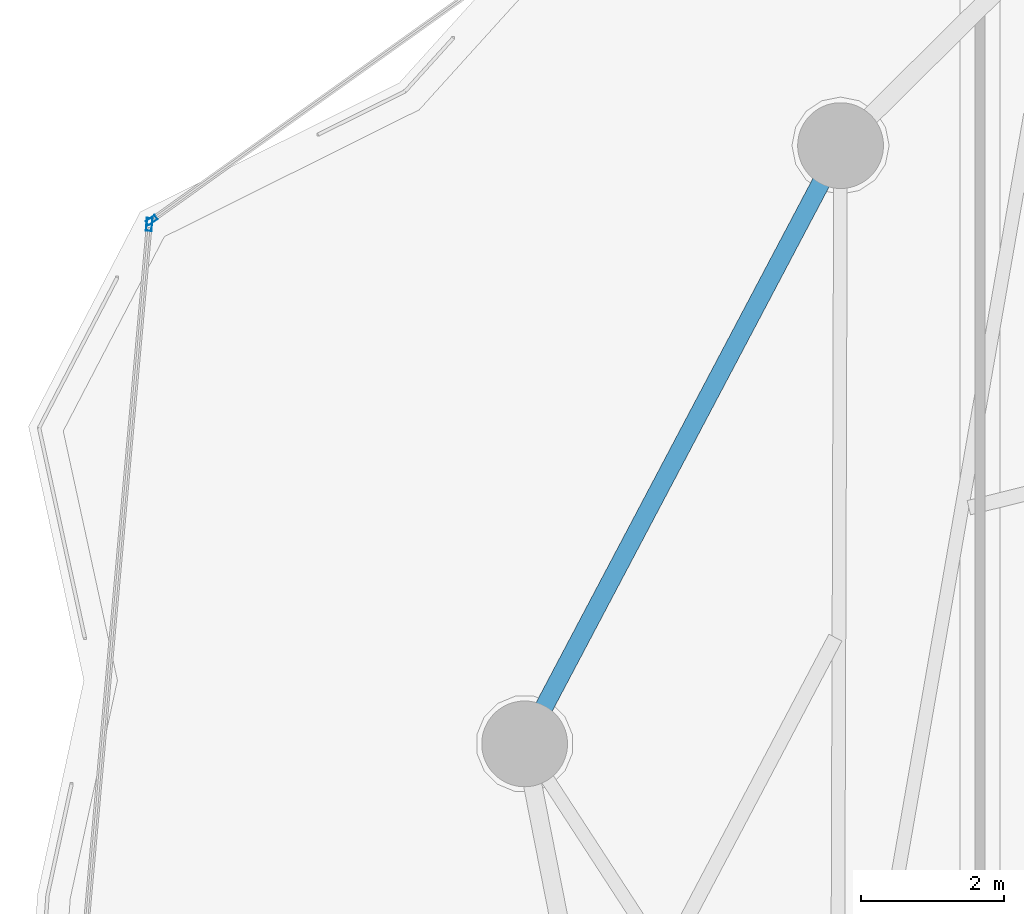
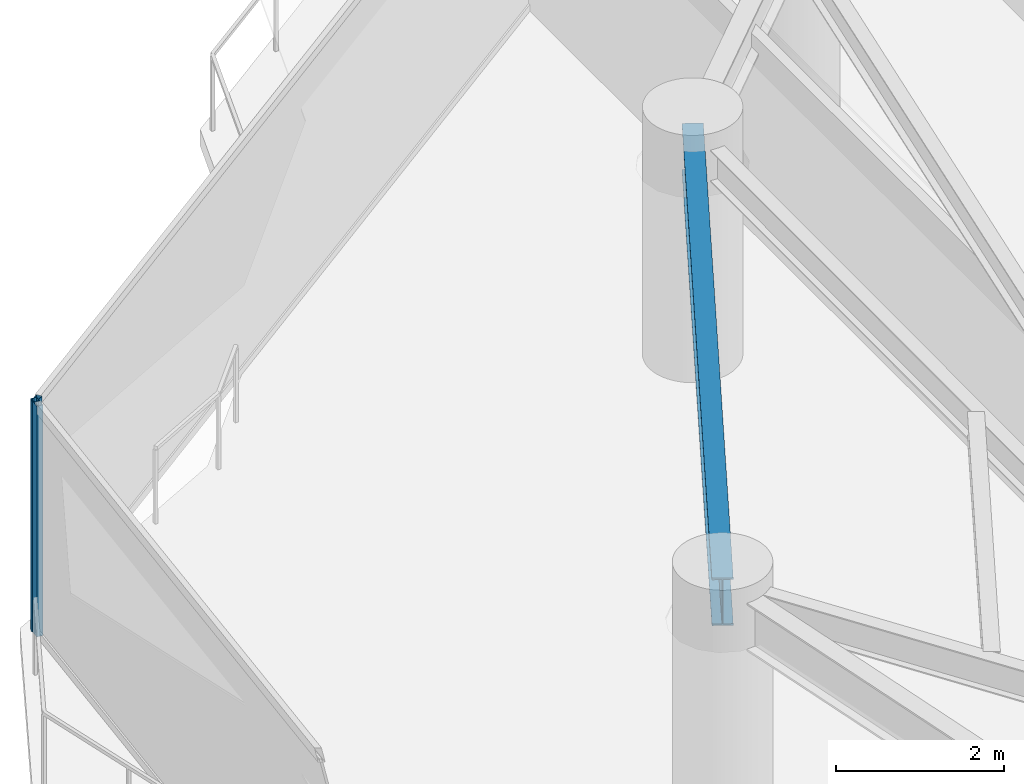
# One storey, part 17 of 33: 2 members, 1 beam, 2 elements without a shape of their own.
"""IFC4 building model written with IfcOpenShell, lengths in metres."""

from ifc_helpers import new_model, si_unit, direction, frame, origin, origin_2d, place, context, subcontext, project, spatial, hollow_rectangle, i_section, extrude, material, layer, layer_set, material_profile, profile_set, type_object, element, aggregate, save


model = new_model("IFC4")

# Units and contexts
model_context = context("Model", 3, precision=1e-05, world=origin(), true_north=direction((0.0, 1.0)))
body_context = subcontext(model_context, "Body", "Model", "MODEL_VIEW")
ifc_project = project(units=[si_unit("LENGTHUNIT", "METRE"), si_unit("AREAUNIT", "SQUARE_METRE"), si_unit("VOLUMEUNIT", "CUBIC_METRE"), si_unit("PLANEANGLEUNIT", "RADIAN"), si_unit("MASSUNIT", "GRAM", prefix="KILO")], contexts=[model_context])

# Site, building, storey
site_placement = place(None, origin())
site = spatial("IfcSite", under=ifc_project, at=site_placement, CompositionType="ELEMENT")
building_placement = place(site_placement, origin())
building = spatial("IfcBuilding", under=site, at=building_placement, Name="Kazevale Care Tower and Concert Hall", CompositionType="ELEMENT")
storey_placement = place(building_placement, frame((0.0, 0.0, 149.39990234375)))
storey = spatial("IfcBuildingStorey", under=building, at=storey_placement, Name="L39", CompositionType="ELEMENT", Elevation=149.39990234375)

# Curtain wall, member
ifc_material_1 = material(Name="Aluminium 6063-T6 and Low-E Glass", Category="aluminium")
ifc_layer_1 = layer(ifc_material_1, 0.179931640625)
ifc_layer_set_1 = layer_set([ifc_layer_1], Name="Aluminium 6063-T6 and Low-E Glass")
curtain_wall_type_1 = type_object("IfcCurtainWallType", Name="Convex Recessed Sunroom Curtain Wall CW-3", PredefinedType="NOTDEFINED", material=ifc_layer_set_1)
curtain_wall_1_placement = place(storey_placement, origin())
curtain_wall_1 = element("IfcCurtainWall", 1, at=curtain_wall_1_placement, inside=storey, type_object=curtain_wall_type_1, Name="cw:L39:f14", PredefinedType="NOTDEFINED")
ifc_material_2 = material(Name="Aluminium 6063-T6", Category="aluminium")
ifc_material_profile_1 = material_profile(ifc_material_2, hollow_rectangle(XDim=0.074951171875, YDim=0.14990234375, WallThickness=0.00390625, at=origin_2d()), Name="ALU75x150x4")
ifc_profile_set_1 = profile_set([ifc_material_profile_1], Name="Aluminium 6063-T6")
member_type_1 = type_object("IfcMemberType", Name="CW-3 Mullion ALU75x150x4", PredefinedType="MULLION", material=ifc_profile_set_1)
member_1_placement = place(storey_placement, frame((12.41259765625, 50.44775390625, 0.0), z_axis=(0.0, 0.0, 1.0), x_axis=(-0.58132396176, 0.813672201494, 0.0)))
member_1 = element("IfcMember", 2, at=member_1_placement, type_object=member_type_1, Name="CW-3 mullion 1", PredefinedType="MULLION", context=body_context, shape_type="SweptSolid", body=[
    extrude(hollow_rectangle(XDim=0.074951171875, YDim=0.14990234375, WallThickness=0.00390625, at=origin_2d()), origin(), (0.0, 0.0, 1.0), 3.360107421875),
])
aggregate(curtain_wall_1, [member_1])

ifc_layer_2 = layer(ifc_material_1, 0.179931640625)
ifc_layer_set_2 = layer_set([ifc_layer_2], Name="Aluminium 6063-T6 and Low-E Glass")
curtain_wall_type_2 = type_object("IfcCurtainWallType", Name="Waist & Upper Residential Curtain Wall CW-4", PredefinedType="NOTDEFINED", material=ifc_layer_set_2)
curtain_wall_2_placement = place(storey_placement, origin())
curtain_wall_2 = element("IfcCurtainWall", 3, at=curtain_wall_2_placement, inside=storey, type_object=curtain_wall_type_2, Name="cw:L39:f13", PredefinedType="NOTDEFINED")
ifc_material_profile_2 = material_profile(ifc_material_2, hollow_rectangle(XDim=0.080078125, YDim=0.179931640625, WallThickness=0.0048828125, at=origin_2d()), Name="ALU80x180x5")
ifc_profile_set_2 = profile_set([ifc_material_profile_2], Name="Aluminium 6063-T6")
member_type_2 = type_object("IfcMemberType", Name="CW-4 Mullion ALU80x180x5", PredefinedType="MULLION", material=ifc_profile_set_2)
member_2_placement = place(storey_placement, frame((12.37841796875, 50.38623046875, 0.0), z_axis=(0.0, 0.0, 1.0), x_axis=(-0.995969703525, 0.089690298589, 0.0)))
member_2 = element("IfcMember", 4, at=member_2_placement, type_object=member_type_2, Name="CW-4 mullion 2", PredefinedType="MULLION", context=body_context, shape_type="SweptSolid", body=[
    extrude(hollow_rectangle(XDim=0.080078125, YDim=0.179931640625, WallThickness=0.0048828125, at=origin_2d()), origin(), (0.0, 0.0, 1.0), 3.360107421875),
])
aggregate(curtain_wall_2, [member_2])

# Beam
ifc_material_3 = material(Name="Steel ASTM A572 Gr 50", Category="steel")
ifc_material_profile_3 = material_profile(ifc_material_3, i_section(OverallWidth=0.256103515625, OverallDepth=0.693115234375, WebThickness=0.014404296875, FlangeThickness=0.023681640625, at=origin_2d()), Name="W690x170")
ifc_profile_set_3 = profile_set([ifc_material_profile_3], Name="Steel ASTM A572 Gr 50")
beam_type = type_object("IfcBeamType", Name="Waist Ring Beam W690x170", PredefinedType="BEAM", material=ifc_profile_set_3)
beam_placement = place(storey_placement, frame((22.050048828125, 51.489990234375, 3.013671875), z_axis=(-0.466984438127, -0.884265533959, 0.0), x_axis=(0.884265533959, -0.466984438127, 0.0)))
element("IfcBeam", 5, at=beam_placement, inside=storey, type_object=beam_type, Name="beam:L39:ring:08", PredefinedType="BEAM", context=body_context, shape_type="SweptSolid", body=[
    extrude(i_section(OverallWidth=0.256103515625, OverallDepth=0.693115234375, WebThickness=0.014404296875, FlangeThickness=0.023681640625, at=origin_2d()), origin(), (0.0, 0.0, 1.0), 9.46533203125),
])

save(model, "model.ifc")
